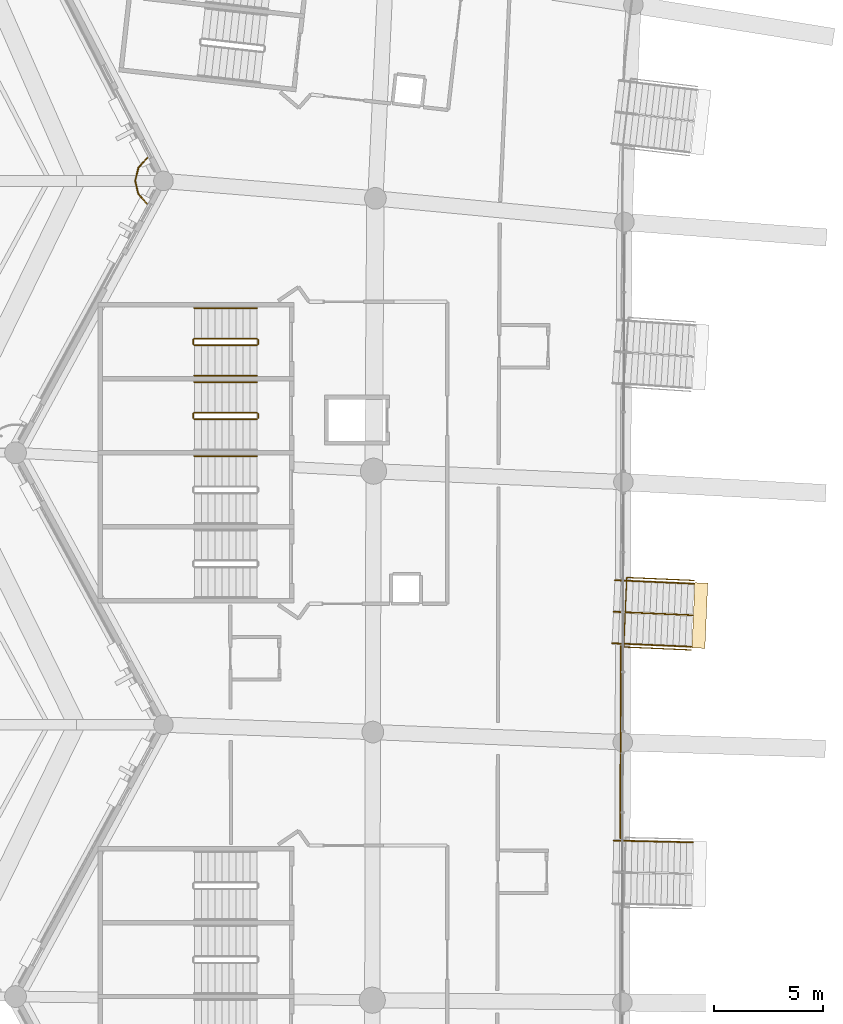
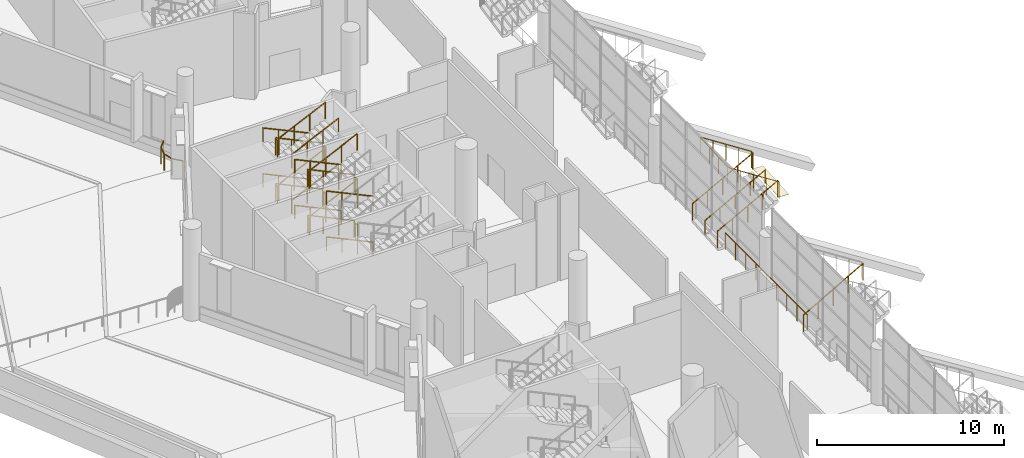
# One storey, part 144 of 173: 34 railings, 1 covering.
"""IFC4 building model written with IfcOpenShell, lengths in metres."""

from ifc_helpers import new_model, si_unit, direction, frame, origin, origin_2d, place, context, subcontext, project, spatial, rectangle, circle, extrude, material, layer, layer_set, type_object, element, save


model = new_model("IFC4")

# Units and contexts
model_context = context("Model", 3, precision=1e-05, world=origin(), true_north=direction((0.0, 1.0)))
body_context = subcontext(model_context, "Body", "Model", "MODEL_VIEW")
ifc_project = project(units=[si_unit("LENGTHUNIT", "METRE"), si_unit("AREAUNIT", "SQUARE_METRE"), si_unit("VOLUMEUNIT", "CUBIC_METRE"), si_unit("PLANEANGLEUNIT", "RADIAN"), si_unit("MASSUNIT", "GRAM", prefix="KILO")], contexts=[model_context])

# Site, building, storey
site_placement = place(None, origin())
site = spatial("IfcSite", under=ifc_project, at=site_placement, CompositionType="ELEMENT")
building_placement = place(site_placement, origin())
building = spatial("IfcBuilding", under=site, at=building_placement, Name="Meseta Stadium", CompositionType="ELEMENT")
storey_placement = place(building_placement, frame((0.0, 0.0, 18.0)))
storey = spatial("IfcBuildingStorey", under=building, at=storey_placement, Name="L03", CompositionType="ELEMENT", Elevation=18.0)

# Railings
ifc_material_1 = material(Name="Steel S355", Category="steel")
railing_type_1 = type_object("IfcRailingType", Name="Plate edge guard 1100", PredefinedType="GUARDRAIL", material=ifc_material_1)
railing_1_placement = place(storey_placement, frame((-73.57275390625, 22.35693359375, 0.0)))
element("IfcRailing", 1, at=railing_1_placement, inside=storey, type_object=railing_type_1, Name="L03 inner edge guard 32", PredefinedType="GUARDRAIL", context=body_context, shape_type="SweptSolid", body=[
    extrude(circle(Radius=0.02490234375, at=origin_2d()), frame((0.0, 0.0, 1.0751953125), z_axis=(-0.001964850227, -0.99999806968, 0.0), x_axis=(0.99999806968, -0.001964850227, 0.0)), (0.0, 0.0, 1.0), 8.822021484375),
    extrude(circle(Radius=0.02001953125, at=origin_2d()), origin(), (0.0, 0.0, 1.0), 1.050048828125),
    extrude(circle(Radius=0.02001953125, at=origin_2d()), frame((-0.002197265625, -1.102783203125, 0.0)), (0.0, 0.0, 1.0), 1.050048828125),
    extrude(circle(Radius=0.02001953125, at=origin_2d()), frame((-0.00439453125, -2.20556640625, 0.0)), (0.0, 0.0, 1.0), 1.050048828125),
    extrude(circle(Radius=0.02001953125, at=origin_2d()), frame((-0.006591796875, -3.308349609375, 0.0)), (0.0, 0.0, 1.0), 1.050048828125),
    extrude(circle(Radius=0.02001953125, at=origin_2d()), frame((-0.0087890625, -4.4111328125, 0.0)), (0.0, 0.0, 1.0), 1.050048828125),
    extrude(circle(Radius=0.02001953125, at=origin_2d()), frame((-0.0107421875, -5.513671875, 0.0)), (0.0, 0.0, 1.0), 1.050048828125),
    extrude(circle(Radius=0.02001953125, at=origin_2d()), frame((-0.012939453125, -6.616455078125, 0.0)), (0.0, 0.0, 1.0), 1.050048828125),
    extrude(circle(Radius=0.02001953125, at=origin_2d()), frame((-0.01513671875, -7.71923828125, 0.0)), (0.0, 0.0, 1.0), 1.050048828125),
    extrude(circle(Radius=0.02001953125, at=origin_2d()), frame((-0.017333984375, -8.822021484375, 0.0)), (0.0, 0.0, 1.0), 1.050048828125),
])
ifc_material_2 = material(Name="Steel S355", Category="steel")
railing_type_2 = type_object("IfcRailingType", Name="Roof garden guard 1100", PredefinedType="GUARDRAIL", material=ifc_material_2)
railing_2_placement = place(storey_placement, frame((-95.331787109375, 44.824462890625, 0.0)))
element("IfcRailing", 2, at=railing_2_placement, inside=storey, type_object=railing_type_2, Name="Roof garden pit guard 30.2.1", PredefinedType="GUARDRAIL", context=body_context, shape_type="SweptSolid", body=[
    extrude(circle(Radius=0.02490234375, at=origin_2d()), frame((0.0, 0.0, 1.0751953125), z_axis=(-0.668485792497, -0.743724912336, 0.0), x_axis=(0.743724912336, -0.668485792497, 0.0)), (0.0, 0.0, 1.0), 0.619873046875),
    extrude(circle(Radius=0.02001953125, at=origin_2d()), origin(), (0.0, 0.0, 1.0), 1.050048828125),
    extrude(circle(Radius=0.02001953125, at=origin_2d()), frame((-0.414306640625, -0.4609375, 0.0)), (0.0, 0.0, 1.0), 1.050048828125),
])
railing_3_placement = place(storey_placement, frame((-95.74609375, 44.363525390625, 0.0)))
element("IfcRailing", 3, at=railing_3_placement, inside=storey, type_object=railing_type_2, Name="Roof garden pit guard 30.2.2", PredefinedType="GUARDRAIL", context=body_context, shape_type="SweptSolid", body=[
    extrude(circle(Radius=0.02490234375, at=origin_2d()), frame((0.0, 0.0, 1.0751953125), z_axis=(-0.24818578497, -0.968712452763, 0.0), x_axis=(0.968712452763, -0.24818578497, 0.0)), (0.0, 0.0, 1.0), 0.61962890625),
    extrude(circle(Radius=0.02001953125, at=origin_2d()), origin(), (0.0, 0.0, 1.0), 1.050048828125),
    extrude(circle(Radius=0.02001953125, at=origin_2d()), frame((-0.15380859375, -0.600341796875, 0.0)), (0.0, 0.0, 1.0), 1.050048828125),
])
railing_4_placement = place(storey_placement, frame((-95.89990234375, 43.76318359375, 0.0)))
element("IfcRailing", 4, at=railing_4_placement, inside=storey, type_object=railing_type_2, Name="Roof garden pit guard 30.2.3", PredefinedType="GUARDRAIL", context=body_context, shape_type="SweptSolid", body=[
    extrude(circle(Radius=0.02490234375, at=origin_2d()), frame((0.0, 0.0, 1.0751953125), z_axis=(0.228512262263, -0.973541034572, 0.0), x_axis=(0.973541034572, 0.228512262263, 0.0)), (0.0, 0.0, 1.0), 0.61962890625),
    extrude(circle(Radius=0.02001953125, at=origin_2d()), origin(), (0.0, 0.0, 1.0), 1.050048828125),
    extrude(circle(Radius=0.02001953125, at=origin_2d()), frame((0.1416015625, -0.603271484375, 0.0)), (0.0, 0.0, 1.0), 1.050048828125),
])
railing_5_placement = place(storey_placement, frame((-95.75830078125, 43.159912109375, 0.0)))
element("IfcRailing", 5, at=railing_5_placement, inside=storey, type_object=railing_type_2, Name="Roof garden pit guard 30.2.4", PredefinedType="GUARDRAIL", context=body_context, shape_type="SweptSolid", body=[
    extrude(circle(Radius=0.02490234375, at=origin_2d()), frame((0.0, 0.0, 1.0751953125), z_axis=(0.653188970525, -0.757194934468, 0.0), x_axis=(0.757194934468, 0.653188970525, 0.0)), (0.0, 0.0, 1.0), 0.61962890625),
    extrude(circle(Radius=0.02001953125, at=origin_2d()), origin(), (0.0, 0.0, 1.0), 1.050048828125),
    extrude(circle(Radius=0.02001953125, at=origin_2d()), frame((0.40478515625, -0.46923828125, 0.0)), (0.0, 0.0, 1.0), 1.050048828125),
])
ifc_material_3 = material(Name="Steel S355", Category="steel")
railing_type_3 = type_object("IfcRailingType", Name="Stair guard 1100", PredefinedType="GUARDRAIL", material=ifc_material_3)
railing_6_placement = place(storey_placement, frame((-90.300048828125, 36.5, 0.14990234375)))
element("IfcRailing", 6, at=railing_6_placement, inside=storey, type_object=railing_type_3, Name="ST61 L03 guard 1", PredefinedType="GUARDRAIL", context=body_context, shape_type="SweptSolid", body=[
    extrude(circle(Radius=0.02392578125, at=origin_2d()), frame((0.0, 0.0, 1.076171875), z_axis=(-0.905440498372, 0.0, 0.424473207528), x_axis=(0.0, -1.0, 0.0)), (0.0, 0.0, 1.0), 3.1806640625),
    extrude(circle(Radius=0.02099609375, at=origin_2d()), origin(), (0.0, 0.0, 1.0), 1.052001953125),
    extrude(circle(Radius=0.02099609375, at=origin_2d()), frame((-0.9599609375, 0.0, 0.449951171875)), (0.0, 0.0, 1.0), 1.052001953125),
    extrude(circle(Radius=0.02099609375, at=origin_2d()), frame((-1.919921875, 0.0, 0.900146484375)), (0.0, 0.0, 1.0), 1.052001953125),
    extrude(circle(Radius=0.02099609375, at=origin_2d()), frame((-2.8798828125, 0.0, 1.35009765625)), (0.0, 0.0, 1.0), 1.052001953125),
])
railing_7_placement = place(storey_placement, frame((-93.22998046875, 36.449951171875, 1.5)))
element("IfcRailing", 7, at=railing_7_placement, inside=storey, type_object=railing_type_3, Name="ST61 L03 guard 2", PredefinedType="GUARDRAIL", context=body_context, shape_type="SweptSolid", body=[
    extrude(circle(Radius=0.02392578125, at=origin_2d()), frame((0.0, 0.0, 1.076171875), z_axis=(0.0, -1.0, 0.0), x_axis=(1.0, 0.0, 0.0)), (0.0, 0.0, 1.0), 0.199951171875),
    extrude(circle(Radius=0.02099609375, at=origin_2d()), origin(), (0.0, 0.0, 1.0), 1.052001953125),
    extrude(circle(Radius=0.02099609375, at=origin_2d()), frame((0.0, -0.199951171875, 0.0)), (0.0, 0.0, 1.0), 1.052001953125),
])
railing_8_placement = place(storey_placement, frame((-93.179931640625, 36.199951171875, 1.64990234375)))
element("IfcRailing", 8, at=railing_8_placement, inside=storey, type_object=railing_type_3, Name="ST61 L03 guard 3", PredefinedType="GUARDRAIL", context=body_context, shape_type="SweptSolid", body=[
    extrude(circle(Radius=0.02392578125, at=origin_2d()), frame((0.0, 0.0, 1.076171875), z_axis=(0.905440498372, 0.0, 0.424473207528), x_axis=(0.0, 1.0, 0.0)), (0.0, 0.0, 1.0), 3.1806640625),
    extrude(circle(Radius=0.02099609375, at=origin_2d()), origin(), (0.0, 0.0, 1.0), 1.052001953125),
    extrude(circle(Radius=0.02099609375, at=origin_2d()), frame((0.9599609375, 0.0, 0.449951171875)), (0.0, 0.0, 1.0), 1.052001953125),
    extrude(circle(Radius=0.02099609375, at=origin_2d()), frame((1.919921875, 0.0, 0.900146484375)), (0.0, 0.0, 1.0), 1.052001953125),
    extrude(circle(Radius=0.02099609375, at=origin_2d()), frame((2.8798828125, 0.0, 1.35009765625)), (0.0, 0.0, 1.0), 1.052001953125),
])
railing_9_placement = place(storey_placement, frame((-90.25, 36.449951171875, 3.0)))
element("IfcRailing", 9, at=railing_9_placement, inside=storey, type_object=railing_type_3, Name="ST61 L03 guard 4", PredefinedType="GUARDRAIL", context=body_context, shape_type="SweptSolid", body=[
    extrude(circle(Radius=0.02392578125, at=origin_2d()), frame((0.0, 0.0, 1.076171875), z_axis=(0.0, -1.0, 0.0), x_axis=(1.0, 0.0, 0.0)), (0.0, 0.0, 1.0), 0.199951171875),
    extrude(circle(Radius=0.02099609375, at=origin_2d()), origin(), (0.0, 0.0, 1.0), 1.052001953125),
    extrude(circle(Radius=0.02099609375, at=origin_2d()), frame((0.0, -0.199951171875, 0.0)), (0.0, 0.0, 1.0), 1.052001953125),
])
railing_10_placement = place(storey_placement, frame((-90.300048828125, 36.5, 3.14990234375)))
element("IfcRailing", 10, at=railing_10_placement, inside=storey, type_object=railing_type_3, Name="ST61 L03 guard 5", PredefinedType="GUARDRAIL", context=body_context, shape_type="SweptSolid", body=[
    extrude(circle(Radius=0.02392578125, at=origin_2d()), frame((0.0, 0.0, 1.076171875), z_axis=(-0.905440498372, 0.0, 0.424473207528), x_axis=(0.0, -1.0, 0.0)), (0.0, 0.0, 1.0), 3.1806640625),
    extrude(circle(Radius=0.02099609375, at=origin_2d()), origin(), (0.0, 0.0, 1.0), 1.052001953125),
    extrude(circle(Radius=0.02099609375, at=origin_2d()), frame((-0.9599609375, 0.0, 0.449951171875)), (0.0, 0.0, 1.0), 1.052001953125),
    extrude(circle(Radius=0.02099609375, at=origin_2d()), frame((-1.919921875, 0.0, 0.900146484375)), (0.0, 0.0, 1.0), 1.052001953125),
    extrude(circle(Radius=0.02099609375, at=origin_2d()), frame((-2.8798828125, 0.0, 1.35009765625)), (0.0, 0.0, 1.0), 1.052001953125),
])
railing_11_placement = place(storey_placement, frame((-93.22998046875, 36.449951171875, 4.5)))
element("IfcRailing", 11, at=railing_11_placement, inside=storey, type_object=railing_type_3, Name="ST61 L03 guard 6", PredefinedType="GUARDRAIL", context=body_context, shape_type="SweptSolid", body=[
    extrude(circle(Radius=0.02392578125, at=origin_2d()), frame((0.0, 0.0, 1.076171875), z_axis=(0.0, -1.0, 0.0), x_axis=(1.0, 0.0, 0.0)), (0.0, 0.0, 1.0), 0.199951171875),
    extrude(circle(Radius=0.02099609375, at=origin_2d()), origin(), (0.0, 0.0, 1.0), 1.052001953125),
    extrude(circle(Radius=0.02099609375, at=origin_2d()), frame((0.0, -0.199951171875, 0.0)), (0.0, 0.0, 1.0), 1.052001953125),
])
railing_12_placement = place(storey_placement, frame((-93.179931640625, 36.199951171875, 4.64990234375)))
element("IfcRailing", 12, at=railing_12_placement, inside=storey, type_object=railing_type_3, Name="ST61 L03 guard 7", PredefinedType="GUARDRAIL", context=body_context, shape_type="SweptSolid", body=[
    extrude(circle(Radius=0.02392578125, at=origin_2d()), frame((0.0, 0.0, 1.076171875), z_axis=(0.905440498372, 0.0, 0.424473207528), x_axis=(0.0, 1.0, 0.0)), (0.0, 0.0, 1.0), 3.1806640625),
    extrude(circle(Radius=0.02099609375, at=origin_2d()), origin(), (0.0, 0.0, 1.0), 1.052001953125),
    extrude(circle(Radius=0.02099609375, at=origin_2d()), frame((0.9599609375, 0.0, 0.449951171875)), (0.0, 0.0, 1.0), 1.052001953125),
    extrude(circle(Radius=0.02099609375, at=origin_2d()), frame((1.919921875, 0.0, 0.900146484375)), (0.0, 0.0, 1.0), 1.052001953125),
    extrude(circle(Radius=0.02099609375, at=origin_2d()), frame((2.8798828125, 0.0, 1.35009765625)), (0.0, 0.0, 1.0), 1.052001953125),
])
railing_13_placement = place(storey_placement, frame((-90.25, 36.449951171875, 0.0)))
element("IfcRailing", 13, at=railing_13_placement, inside=storey, type_object=railing_type_3, Name="ST61 L03 guard 8", PredefinedType="GUARDRAIL", context=body_context, shape_type="SweptSolid", body=[
    extrude(circle(Radius=0.02392578125, at=origin_2d()), frame((0.0, 0.0, 1.076171875), z_axis=(0.0, -1.0, 0.0), x_axis=(1.0, 0.0, 0.0)), (0.0, 0.0, 1.0), 0.199951171875),
    extrude(circle(Radius=0.02099609375, at=origin_2d()), origin(), (0.0, 0.0, 1.0), 1.052001953125),
    extrude(circle(Radius=0.02099609375, at=origin_2d()), frame((0.0, -0.199951171875, 0.0)), (0.0, 0.0, 1.0), 1.052001953125),
])
railing_14_placement = place(storey_placement, frame((-90.300048828125, 33.10009765625, 0.14990234375)))
element("IfcRailing", 14, at=railing_14_placement, inside=storey, type_object=railing_type_3, Name="ST62 L03 guard 1", PredefinedType="GUARDRAIL", context=body_context, shape_type="SweptSolid", body=[
    extrude(circle(Radius=0.02392578125, at=origin_2d()), frame((0.0, 0.0, 1.076171875), z_axis=(-0.905440498372, 0.0, 0.424473207528), x_axis=(0.0, -1.0, 0.0)), (0.0, 0.0, 1.0), 3.1806640625),
    extrude(circle(Radius=0.02099609375, at=origin_2d()), origin(), (0.0, 0.0, 1.0), 1.052001953125),
    extrude(circle(Radius=0.02099609375, at=origin_2d()), frame((-0.9599609375, 0.0, 0.449951171875)), (0.0, 0.0, 1.0), 1.052001953125),
    extrude(circle(Radius=0.02099609375, at=origin_2d()), frame((-1.919921875, 0.0, 0.900146484375)), (0.0, 0.0, 1.0), 1.052001953125),
    extrude(circle(Radius=0.02099609375, at=origin_2d()), frame((-2.8798828125, 0.0, 1.35009765625)), (0.0, 0.0, 1.0), 1.052001953125),
])
railing_15_placement = place(storey_placement, frame((-93.22998046875, 33.050048828125, 1.5)))
element("IfcRailing", 15, at=railing_15_placement, inside=storey, type_object=railing_type_3, Name="ST62 L03 guard 2", PredefinedType="GUARDRAIL", context=body_context, shape_type="SweptSolid", body=[
    extrude(circle(Radius=0.02392578125, at=origin_2d()), frame((0.0, 0.0, 1.076171875), z_axis=(0.0, -1.0, 0.0), x_axis=(1.0, 0.0, 0.0)), (0.0, 0.0, 1.0), 0.199951171875),
    extrude(circle(Radius=0.02099609375, at=origin_2d()), origin(), (0.0, 0.0, 1.0), 1.052001953125),
    extrude(circle(Radius=0.02099609375, at=origin_2d()), frame((0.0, -0.199951171875, 0.0)), (0.0, 0.0, 1.0), 1.052001953125),
])
railing_16_placement = place(storey_placement, frame((-93.179931640625, 32.800048828125, 1.64990234375)))
element("IfcRailing", 16, at=railing_16_placement, inside=storey, type_object=railing_type_3, Name="ST62 L03 guard 3", PredefinedType="GUARDRAIL", context=body_context, shape_type="SweptSolid", body=[
    extrude(circle(Radius=0.02392578125, at=origin_2d()), frame((0.0, 0.0, 1.076171875), z_axis=(0.905440498372, 0.0, 0.424473207528), x_axis=(0.0, 1.0, 0.0)), (0.0, 0.0, 1.0), 3.1806640625),
    extrude(circle(Radius=0.02099609375, at=origin_2d()), origin(), (0.0, 0.0, 1.0), 1.052001953125),
    extrude(circle(Radius=0.02099609375, at=origin_2d()), frame((0.9599609375, 0.0, 0.449951171875)), (0.0, 0.0, 1.0), 1.052001953125),
    extrude(circle(Radius=0.02099609375, at=origin_2d()), frame((1.919921875, 0.0, 0.900146484375)), (0.0, 0.0, 1.0), 1.052001953125),
    extrude(circle(Radius=0.02099609375, at=origin_2d()), frame((2.8798828125, 0.0, 1.35009765625)), (0.0, 0.0, 1.0), 1.052001953125),
])
railing_17_placement = place(storey_placement, frame((-90.25, 33.050048828125, 3.0)))
element("IfcRailing", 17, at=railing_17_placement, inside=storey, type_object=railing_type_3, Name="ST62 L03 guard 4", PredefinedType="GUARDRAIL", context=body_context, shape_type="SweptSolid", body=[
    extrude(circle(Radius=0.02392578125, at=origin_2d()), frame((0.0, 0.0, 1.076171875), z_axis=(0.0, -1.0, 0.0), x_axis=(1.0, 0.0, 0.0)), (0.0, 0.0, 1.0), 0.199951171875),
    extrude(circle(Radius=0.02099609375, at=origin_2d()), origin(), (0.0, 0.0, 1.0), 1.052001953125),
    extrude(circle(Radius=0.02099609375, at=origin_2d()), frame((0.0, -0.199951171875, 0.0)), (0.0, 0.0, 1.0), 1.052001953125),
])
railing_18_placement = place(storey_placement, frame((-90.300048828125, 33.10009765625, 3.14990234375)))
element("IfcRailing", 18, at=railing_18_placement, inside=storey, type_object=railing_type_3, Name="ST62 L03 guard 5", PredefinedType="GUARDRAIL", context=body_context, shape_type="SweptSolid", body=[
    extrude(circle(Radius=0.02392578125, at=origin_2d()), frame((0.0, 0.0, 1.076171875), z_axis=(-0.905440498372, 0.0, 0.424473207528), x_axis=(0.0, -1.0, 0.0)), (0.0, 0.0, 1.0), 3.1806640625),
    extrude(circle(Radius=0.02099609375, at=origin_2d()), origin(), (0.0, 0.0, 1.0), 1.052001953125),
    extrude(circle(Radius=0.02099609375, at=origin_2d()), frame((-0.9599609375, 0.0, 0.449951171875)), (0.0, 0.0, 1.0), 1.052001953125),
    extrude(circle(Radius=0.02099609375, at=origin_2d()), frame((-1.919921875, 0.0, 0.900146484375)), (0.0, 0.0, 1.0), 1.052001953125),
    extrude(circle(Radius=0.02099609375, at=origin_2d()), frame((-2.8798828125, 0.0, 1.35009765625)), (0.0, 0.0, 1.0), 1.052001953125),
])
railing_19_placement = place(storey_placement, frame((-93.22998046875, 33.050048828125, 4.5)))
element("IfcRailing", 19, at=railing_19_placement, inside=storey, type_object=railing_type_3, Name="ST62 L03 guard 6", PredefinedType="GUARDRAIL", context=body_context, shape_type="SweptSolid", body=[
    extrude(circle(Radius=0.02392578125, at=origin_2d()), frame((0.0, 0.0, 1.076171875), z_axis=(0.0, -1.0, 0.0), x_axis=(1.0, 0.0, 0.0)), (0.0, 0.0, 1.0), 0.199951171875),
    extrude(circle(Radius=0.02099609375, at=origin_2d()), origin(), (0.0, 0.0, 1.0), 1.052001953125),
    extrude(circle(Radius=0.02099609375, at=origin_2d()), frame((0.0, -0.199951171875, 0.0)), (0.0, 0.0, 1.0), 1.052001953125),
])
railing_20_placement = place(storey_placement, frame((-93.179931640625, 32.800048828125, 4.64990234375)))
element("IfcRailing", 20, at=railing_20_placement, inside=storey, type_object=railing_type_3, Name="ST62 L03 guard 7", PredefinedType="GUARDRAIL", context=body_context, shape_type="SweptSolid", body=[
    extrude(circle(Radius=0.02392578125, at=origin_2d()), frame((0.0, 0.0, 1.076171875), z_axis=(0.905440498372, 0.0, 0.424473207528), x_axis=(0.0, 1.0, 0.0)), (0.0, 0.0, 1.0), 3.1806640625),
    extrude(circle(Radius=0.02099609375, at=origin_2d()), origin(), (0.0, 0.0, 1.0), 1.052001953125),
    extrude(circle(Radius=0.02099609375, at=origin_2d()), frame((0.9599609375, 0.0, 0.449951171875)), (0.0, 0.0, 1.0), 1.052001953125),
    extrude(circle(Radius=0.02099609375, at=origin_2d()), frame((1.919921875, 0.0, 0.900146484375)), (0.0, 0.0, 1.0), 1.052001953125),
    extrude(circle(Radius=0.02099609375, at=origin_2d()), frame((2.8798828125, 0.0, 1.35009765625)), (0.0, 0.0, 1.0), 1.052001953125),
])
railing_21_placement = place(storey_placement, frame((-90.25, 33.050048828125, 0.0)))
element("IfcRailing", 21, at=railing_21_placement, inside=storey, type_object=railing_type_3, Name="ST62 L03 guard 8", PredefinedType="GUARDRAIL", context=body_context, shape_type="SweptSolid", body=[
    extrude(circle(Radius=0.02392578125, at=origin_2d()), frame((0.0, 0.0, 1.076171875), z_axis=(0.0, -1.0, 0.0), x_axis=(1.0, 0.0, 0.0)), (0.0, 0.0, 1.0), 0.199951171875),
    extrude(circle(Radius=0.02099609375, at=origin_2d()), origin(), (0.0, 0.0, 1.0), 1.052001953125),
    extrude(circle(Radius=0.02099609375, at=origin_2d()), frame((0.0, -0.199951171875, 0.0)), (0.0, 0.0, 1.0), 1.052001953125),
])
ifc_material_4 = material(Name="Steel S355", Category="steel")
railing_type_4 = type_object("IfcRailingType", Name="Stair handrail 900", PredefinedType="HANDRAIL", material=ifc_material_4)
railing_22_placement = place(storey_placement, frame((-90.300048828125, 37.89990234375, 0.14990234375)))
element("IfcRailing", 22, at=railing_22_placement, inside=storey, type_object=railing_type_4, Name="ST61 L03 handrail 1", PredefinedType="HANDRAIL", context=body_context, shape_type="SweptSolid", body=[
    extrude(circle(Radius=0.02392578125, at=origin_2d()), frame((0.0, 0.0, 0.8759765625), z_axis=(-0.905440498372, 0.0, 0.424473207528), x_axis=(0.0, -1.0, 0.0)), (0.0, 0.0, 1.0), 3.1806640625),
    extrude(circle(Radius=0.02099609375, at=origin_2d()), origin(), (0.0, 0.0, 1.0), 0.851806640625),
    extrude(circle(Radius=0.02099609375, at=origin_2d()), frame((-0.9599609375, 0.0, 0.449951171875)), (0.0, 0.0, 1.0), 0.851806640625),
    extrude(circle(Radius=0.02099609375, at=origin_2d()), frame((-1.919921875, 0.0, 0.900146484375)), (0.0, 0.0, 1.0), 0.851806640625),
    extrude(circle(Radius=0.02099609375, at=origin_2d()), frame((-2.8798828125, 0.0, 1.35009765625)), (0.0, 0.0, 1.0), 0.851806640625),
])
railing_23_placement = place(storey_placement, frame((-93.179931640625, 34.800048828125, 1.64990234375)))
element("IfcRailing", 23, at=railing_23_placement, inside=storey, type_object=railing_type_4, Name="ST61 L03 handrail 2", PredefinedType="HANDRAIL", context=body_context, shape_type="SweptSolid", body=[
    extrude(circle(Radius=0.02392578125, at=origin_2d()), frame((0.0, 0.0, 0.8759765625), z_axis=(0.905440498372, 0.0, 0.424473207528), x_axis=(0.0, 1.0, 0.0)), (0.0, 0.0, 1.0), 3.1806640625),
    extrude(circle(Radius=0.02099609375, at=origin_2d()), origin(), (0.0, 0.0, 1.0), 0.851806640625),
    extrude(circle(Radius=0.02099609375, at=origin_2d()), frame((0.9599609375, 0.0, 0.449951171875)), (0.0, 0.0, 1.0), 0.851806640625),
    extrude(circle(Radius=0.02099609375, at=origin_2d()), frame((1.919921875, 0.0, 0.900146484375)), (0.0, 0.0, 1.0), 0.851806640625),
    extrude(circle(Radius=0.02099609375, at=origin_2d()), frame((2.8798828125, 0.0, 1.35009765625)), (0.0, 0.0, 1.0), 0.851806640625),
])
railing_24_placement = place(storey_placement, frame((-90.300048828125, 37.89990234375, 3.14990234375)))
element("IfcRailing", 24, at=railing_24_placement, inside=storey, type_object=railing_type_4, Name="ST61 L03 handrail 3", PredefinedType="HANDRAIL", context=body_context, shape_type="SweptSolid", body=[
    extrude(circle(Radius=0.02392578125, at=origin_2d()), frame((0.0, 0.0, 0.8759765625), z_axis=(-0.905440498372, 0.0, 0.424473207528), x_axis=(0.0, -1.0, 0.0)), (0.0, 0.0, 1.0), 3.1806640625),
    extrude(circle(Radius=0.02099609375, at=origin_2d()), origin(), (0.0, 0.0, 1.0), 0.851806640625),
    extrude(circle(Radius=0.02099609375, at=origin_2d()), frame((-0.9599609375, 0.0, 0.449951171875)), (0.0, 0.0, 1.0), 0.851806640625),
    extrude(circle(Radius=0.02099609375, at=origin_2d()), frame((-1.919921875, 0.0, 0.900146484375)), (0.0, 0.0, 1.0), 0.851806640625),
    extrude(circle(Radius=0.02099609375, at=origin_2d()), frame((-2.8798828125, 0.0, 1.35009765625)), (0.0, 0.0, 1.0), 0.851806640625),
])
railing_25_placement = place(storey_placement, frame((-93.179931640625, 34.800048828125, 4.64990234375)))
element("IfcRailing", 25, at=railing_25_placement, inside=storey, type_object=railing_type_4, Name="ST61 L03 handrail 4", PredefinedType="HANDRAIL", context=body_context, shape_type="SweptSolid", body=[
    extrude(circle(Radius=0.02392578125, at=origin_2d()), frame((0.0, 0.0, 0.8759765625), z_axis=(0.905440498372, 0.0, 0.424473207528), x_axis=(0.0, 1.0, 0.0)), (0.0, 0.0, 1.0), 3.1806640625),
    extrude(circle(Radius=0.02099609375, at=origin_2d()), origin(), (0.0, 0.0, 1.0), 0.851806640625),
    extrude(circle(Radius=0.02099609375, at=origin_2d()), frame((0.9599609375, 0.0, 0.449951171875)), (0.0, 0.0, 1.0), 0.851806640625),
    extrude(circle(Radius=0.02099609375, at=origin_2d()), frame((1.919921875, 0.0, 0.900146484375)), (0.0, 0.0, 1.0), 0.851806640625),
    extrude(circle(Radius=0.02099609375, at=origin_2d()), frame((2.8798828125, 0.0, 1.35009765625)), (0.0, 0.0, 1.0), 0.851806640625),
])
for number, where, name in (
    (26, (-90.300048828125, 34.5, 0.14990234375), "ST62 L03 handrail 1"),
    (27, (-90.300048828125, 34.5, 3.14990234375), "ST62 L03 handrail 3"),
    (28, (-90.300048828125, 31.10009765625, 0.14990234375), "ST63 L03 handrail 1"),
    (29, (-90.300048828125, 31.10009765625, 3.14990234375), "ST63 L03 handrail 3"),
):
    element("IfcRailing", number, at=place(storey_placement, frame(where)), inside=storey, type_object=railing_type_4, Name=name, PredefinedType="HANDRAIL", context=body_context, shape_type="SweptSolid", body=[
        extrude(circle(Radius=0.02392578125, at=origin_2d()), frame((0.0, 0.0, 0.8759765625), z_axis=(-0.905440498372, 0.0, 0.424473207528), x_axis=(0.0, -1.0, 0.0)), (0.0, 0.0, 1.0), 3.1806640625),
        extrude(circle(Radius=0.02099609375, at=origin_2d()), origin(), (0.0, 0.0, 1.0), 0.851806640625),
        extrude(circle(Radius=0.02099609375, at=origin_2d()), frame((-0.9599609375, 0.0, 0.449951171875)), (0.0, 0.0, 1.0), 0.851806640625),
        extrude(circle(Radius=0.02099609375, at=origin_2d()), frame((-1.919921875, 0.0, 0.900146484375)), (0.0, 0.0, 1.0), 0.851806640625),
        extrude(circle(Radius=0.02099609375, at=origin_2d()), frame((-2.8798828125, 0.0, 1.35009765625)), (0.0, 0.0, 1.0), 0.851806640625),
    ])

# Covering
ifc_material_5 = material(Name="Stone paving", Category="masonry")
ifc_layer = layer(ifc_material_5, 0.02001953125)
ifc_layer_set = layer_set([ifc_layer], Name="Vomitory exit threshold plate 20")
covering_type = type_object("IfcCoveringType", Name="Vomitory exit threshold plate 20", PredefinedType="FLOORING", material=ifc_layer_set)
covering_placement = place(storey_placement, frame((-69.936279296875, 23.76904296875, 2.2919921875), z_axis=(0.0, 0.0, 1.0), x_axis=(0.999039522965, -0.043818164662, 0.0)))
element("IfcCovering", 30, at=covering_placement, inside=storey, type_object=covering_type, Name="Vomitory V-upper-31 exit threshold", PredefinedType="FLOORING", context=body_context, shape_type="SweptSolid", body=[
    extrude(rectangle(XDim=0.60009765625, YDim=3.0, at=origin_2d()), origin(), (0.0, 0.0, 1.0), 0.02001953125),
])

# Railings
ifc_material_6 = material(Name="Steel S355", Category="steel")
railing_type_5 = type_object("IfcRailingType", Name="Vomitory slot guard 1100", PredefinedType="GUARDRAIL", material=ifc_material_6)
railing_26_placement = place(storey_placement, frame((-70.340087890625, 22.185302734375, 2.31201171875)))
element("IfcRailing", 31, at=railing_26_placement, inside=storey, type_object=railing_type_5, Name="Vomitory V-upper-31 slot guard", PredefinedType="GUARDRAIL", context=body_context, shape_type="SweptSolid", body=[
    extrude(circle(Radius=0.02490234375, at=origin_2d()), frame((0.0, 0.0, 1.0751953125), z_axis=(-0.847195861741, 0.03713076613, 0.529981582751), x_axis=(-0.043785808256, -0.999040941601, 0.0)), (0.0, 0.0, 1.0), 3.65576171875),
    extrude(circle(Radius=0.02490234375, at=origin_2d()), frame((-3.09716796875, 0.1357421875, 3.0126953125), z_axis=(0.043794812428, 0.999040546927, 0.0), x_axis=(-0.999040546927, 0.043794812428, 0.0)), (0.0, 0.0, 1.0), 3.199951171875),
    extrude(circle(Radius=0.02490234375, at=origin_2d()), frame((-2.95703125, 3.33251953125, 3.0126953125), z_axis=(0.847195861741, -0.03713076613, -0.529981582751), x_axis=(0.043785808256, 0.999040941601, 0.0)), (0.0, 0.0, 1.0), 3.65576171875),
    extrude(circle(Radius=0.02001953125, at=origin_2d()), origin(), (0.0, 0.0, 1.0), 1.050048828125),
    extrude(circle(Radius=0.02001953125, at=origin_2d()), frame((-0.7744140625, 0.033935546875, 0.484375)), (0.0, 0.0, 1.0), 1.050048828125),
    extrude(circle(Radius=0.02001953125, at=origin_2d()), frame((-1.548583984375, 0.06787109375, 0.96875)), (0.0, 0.0, 1.0), 1.050048828125),
    extrude(circle(Radius=0.02001953125, at=origin_2d()), frame((-2.32275390625, 0.101806640625, 1.453125)), (0.0, 0.0, 1.0), 1.050048828125),
    extrude(circle(Radius=0.02001953125, at=origin_2d()), frame((-3.09716796875, 0.1357421875, 1.9375)), (0.0, 0.0, 1.0), 1.050048828125),
    extrude(circle(Radius=0.02001953125, at=origin_2d()), frame((-3.050537109375, 1.201416015625, 1.9375)), (0.0, 0.0, 1.0), 1.050048828125),
    extrude(circle(Radius=0.02001953125, at=origin_2d()), frame((-3.003662109375, 2.266845703125, 1.9375)), (0.0, 0.0, 1.0), 1.050048828125),
    extrude(circle(Radius=0.02001953125, at=origin_2d()), frame((-2.95703125, 3.33251953125, 1.9375)), (0.0, 0.0, 1.0), 1.050048828125),
    extrude(circle(Radius=0.02001953125, at=origin_2d()), frame((-2.1826171875, 3.298583984375, 1.453125)), (0.0, 0.0, 1.0), 1.050048828125),
    extrude(circle(Radius=0.02001953125, at=origin_2d()), frame((-1.408447265625, 3.2646484375, 0.96875)), (0.0, 0.0, 1.0), 1.050048828125),
    extrude(circle(Radius=0.02001953125, at=origin_2d()), frame((-0.63427734375, 3.230712890625, 0.484375)), (0.0, 0.0, 1.0), 1.050048828125),
    extrude(circle(Radius=0.02001953125, at=origin_2d()), frame((0.14013671875, 3.19677734375, 0.0)), (0.0, 0.0, 1.0), 1.050048828125),
])
ifc_material_7 = material(Name="Steel S355", Category="steel")
railing_type_6 = type_object("IfcRailingType", Name="Vomitory stair guard 1100", PredefinedType="GUARDRAIL", material=ifc_material_7)
railing_27_placement = place(storey_placement, frame((-73.843017578125, 25.3916015625, 0.1650390625)))
element("IfcRailing", 32, at=railing_27_placement, inside=storey, type_object=railing_type_6, Name="Vomitory V-upper-31 guard left", PredefinedType="GUARDRAIL", context=body_context, shape_type="SweptSolid", body=[
    extrude(circle(Radius=0.02490234375, at=origin_2d()), frame((0.0, 0.0, 1.0751953125), z_axis=(0.860505701986, -0.037724754844, 0.508042104281), x_axis=(0.043798145802, 0.999040400797, 0.0)), (0.0, 0.0, 1.0), 4.22607421875),
    extrude(circle(Radius=0.02001953125, at=origin_2d()), origin(), (0.0, 0.0, 1.0), 1.050048828125),
    extrude(circle(Radius=0.02001953125, at=origin_2d()), frame((0.9091796875, -0.039794921875, 0.53662109375)), (0.0, 0.0, 1.0), 1.050048828125),
    extrude(circle(Radius=0.02001953125, at=origin_2d()), frame((1.818359375, -0.07958984375, 1.073486328125)), (0.0, 0.0, 1.0), 1.050048828125),
    extrude(circle(Radius=0.02001953125, at=origin_2d()), frame((2.727294921875, -0.11962890625, 1.6103515625)), (0.0, 0.0, 1.0), 1.050048828125),
    extrude(circle(Radius=0.02001953125, at=origin_2d()), frame((3.636474609375, -0.159423828125, 2.14697265625)), (0.0, 0.0, 1.0), 1.050048828125),
])
railing_28_placement = place(storey_placement, frame((-73.97021484375, 22.494384765625, 0.1650390625)))
element("IfcRailing", 33, at=railing_28_placement, inside=storey, type_object=railing_type_6, Name="Vomitory V-upper-31 guard right", PredefinedType="GUARDRAIL", context=body_context, shape_type="SweptSolid", body=[
    extrude(circle(Radius=0.02490234375, at=origin_2d()), frame((0.0, 0.0, 1.0751953125), z_axis=(0.860520694288, -0.037722879523, 0.508016849192), x_axis=(0.043795211179, 0.999040529447, 0.0)), (0.0, 0.0, 1.0), 4.22607421875),
    extrude(circle(Radius=0.02001953125, at=origin_2d()), origin(), (0.0, 0.0, 1.0), 1.050048828125),
    extrude(circle(Radius=0.02001953125, at=origin_2d()), frame((0.9091796875, -0.039794921875, 0.53662109375)), (0.0, 0.0, 1.0), 1.050048828125),
    extrude(circle(Radius=0.02001953125, at=origin_2d()), frame((1.818359375, -0.07958984375, 1.073486328125)), (0.0, 0.0, 1.0), 1.050048828125),
    extrude(circle(Radius=0.02001953125, at=origin_2d()), frame((2.7275390625, -0.11962890625, 1.6103515625)), (0.0, 0.0, 1.0), 1.050048828125),
    extrude(circle(Radius=0.02001953125, at=origin_2d()), frame((3.63671875, -0.159423828125, 2.14697265625)), (0.0, 0.0, 1.0), 1.050048828125),
])
railing_29_placement = place(storey_placement, frame((-73.8984375, 13.421630859375, 0.1650390625)))
element("IfcRailing", 34, at=railing_29_placement, inside=storey, type_object=railing_type_6, Name="Vomitory V-upper-32 guard left", PredefinedType="GUARDRAIL", context=body_context, shape_type="SweptSolid", body=[
    extrude(circle(Radius=0.02490234375, at=origin_2d()), frame((0.0, 0.0, 1.0751953125), z_axis=(0.861114283805, -0.018891940342, 0.508060316121), x_axis=(0.021933668769, 0.99975942815, 0.0)), (0.0, 0.0, 1.0), 4.225830078125),
    extrude(circle(Radius=0.02001953125, at=origin_2d()), origin(), (0.0, 0.0, 1.0), 1.050048828125),
    extrude(circle(Radius=0.02001953125, at=origin_2d()), frame((0.90966796875, -0.02001953125, 0.53662109375)), (0.0, 0.0, 1.0), 1.050048828125),
    extrude(circle(Radius=0.02001953125, at=origin_2d()), frame((1.8193359375, -0.0400390625, 1.073486328125)), (0.0, 0.0, 1.0), 1.050048828125),
    extrude(circle(Radius=0.02001953125, at=origin_2d()), frame((2.729248046875, -0.059814453125, 1.6103515625)), (0.0, 0.0, 1.0), 1.050048828125),
    extrude(circle(Radius=0.02001953125, at=origin_2d()), frame((3.638916015625, -0.079833984375, 2.14697265625)), (0.0, 0.0, 1.0), 1.050048828125),
])
ifc_material_8 = material(Name="Steel S355", Category="steel")
railing_type_7 = type_object("IfcRailingType", Name="Vomitory stair handrail 900", PredefinedType="HANDRAIL", material=ifc_material_8)
railing_30_placement = place(storey_placement, frame((-73.906494140625, 23.943115234375, 0.1650390625)))
element("IfcRailing", 35, at=railing_30_placement, inside=storey, type_object=railing_type_7, Name="Vomitory V-upper-31 central handrail", PredefinedType="HANDRAIL", context=body_context, shape_type="SweptSolid", body=[
    extrude(circle(Radius=0.02490234375, at=origin_2d()), frame((0.0, 0.0, 0.875), z_axis=(0.860505701986, -0.037724754844, 0.508042104281), x_axis=(0.043798145802, 0.999040400797, 0.0)), (0.0, 0.0, 1.0), 4.22607421875),
    extrude(circle(Radius=0.02001953125, at=origin_2d()), origin(), (0.0, 0.0, 1.0), 0.849853515625),
    extrude(circle(Radius=0.02001953125, at=origin_2d()), frame((0.9091796875, -0.039794921875, 0.53662109375)), (0.0, 0.0, 1.0), 0.849853515625),
    extrude(circle(Radius=0.02001953125, at=origin_2d()), frame((1.818359375, -0.07958984375, 1.073486328125)), (0.0, 0.0, 1.0), 0.849853515625),
    extrude(circle(Radius=0.02001953125, at=origin_2d()), frame((2.727294921875, -0.11962890625, 1.6103515625)), (0.0, 0.0, 1.0), 0.849853515625),
    extrude(circle(Radius=0.02001953125, at=origin_2d()), frame((3.636474609375, -0.159423828125, 2.14697265625)), (0.0, 0.0, 1.0), 0.849853515625),
])

save(model, "model.ifc")
